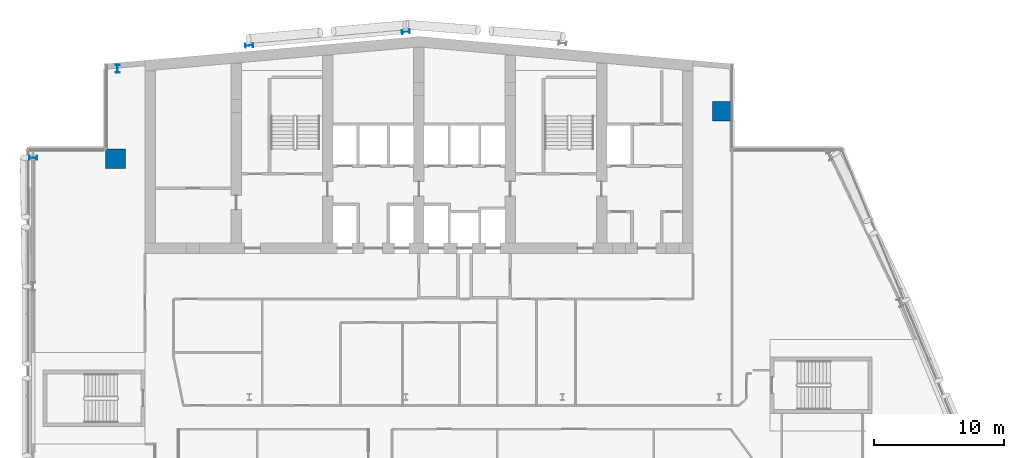
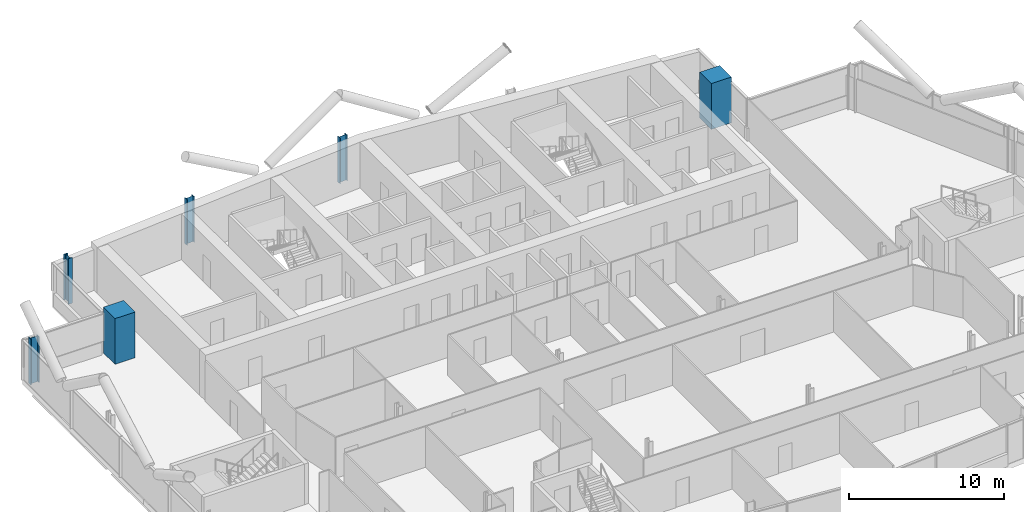
# One storey, part 3 of 27: 6 columns.
"""IFC4 building model written with IfcOpenShell, lengths in metres."""

from ifc_helpers import new_model, si_unit, direction, frame, origin, origin_2d, place, context, subcontext, project, spatial, rectangle, i_section, extrude, material, material_profile, profile_set, type_object, element, save


model = new_model("IFC4")

# Units and contexts
model_context = context("Model", 3, precision=1e-05, world=origin(), true_north=direction((0.0, 1.0)))
body_context = subcontext(model_context, "Body", "Model", "MODEL_VIEW")
ifc_project = project(units=[si_unit("LENGTHUNIT", "METRE"), si_unit("AREAUNIT", "SQUARE_METRE"), si_unit("VOLUMEUNIT", "CUBIC_METRE"), si_unit("PLANEANGLEUNIT", "RADIAN"), si_unit("MASSUNIT", "GRAM", prefix="KILO")], contexts=[model_context])

# Site, building, storey
site_placement = place(None, origin())
site = spatial("IfcSite", under=ifc_project, at=site_placement, CompositionType="ELEMENT")
building_placement = place(site_placement, origin())
building = spatial("IfcBuilding", under=site, at=building_placement, Name="Wharfspan Tower", CompositionType="ELEMENT")
storey_placement = place(building_placement, frame((0.0, 0.0, 195.100098)))
storey = spatial("IfcBuildingStorey", under=building, at=storey_placement, Name="L48", CompositionType="ELEMENT", Elevation=195.100098)

# Columns
ifc_material_1 = material(Name="Steel S355J2", Category="steel")
ifc_material_profile_1 = material_profile(ifc_material_1, i_section(OverallWidth=0.300049, OverallDepth=0.600098, WebThickness=0.015381, FlangeThickness=0.030029, FilletRadius=0.0271, at=origin_2d()))
ifc_profile_set_1 = profile_set([ifc_material_profile_1], Name="Steel S355J2")
column_type_1 = type_object("IfcColumnType", Name="Column HEB 600", PredefinedType="COLUMN", material=ifc_profile_set_1)
for number, where, z_axis, x_axis, name in (
    (1, (24.0, 49.937256, 0.0), (0.0, 0.0, 1.0), (-0.087156, 0.996198, 0.0), "Rear column R.1 L48"),
    (2, (36.0, 50.987061, 0.0), (0.0, 0.0, 1.0), (-0.087156, 0.996198, 0.0), "Rear column R.2 L48"),
):
    element("IfcColumn", number, at=place(storey_placement, frame(where, z_axis=z_axis, x_axis=x_axis)), inside=storey, type_object=column_type_1, Name=name, PredefinedType="COLUMN", context=body_context, shape_type="SweptSolid", body=[
        extrude(i_section(OverallWidth=0.300049, OverallDepth=0.600098, WebThickness=0.015381, FlangeThickness=0.030029, FilletRadius=0.0271, at=origin_2d()), origin(), (0.0, 0.0, 1.0), 3.599854),
    ])
ifc_material_profile_2 = material_profile(ifc_material_1, i_section(OverallWidth=0.304932, OverallDepth=0.620117, WebThickness=0.020996, FlangeThickness=0.040039, FilletRadius=0.0271, at=origin_2d()))
ifc_profile_set_2 = profile_set([ifc_material_profile_2], Name="Steel S355J2")
column_type_2 = type_object("IfcColumnType", Name="Column HEM 600", PredefinedType="COLUMN", material=ifc_profile_set_2)
for number, where, z_axis, x_axis, name in (
    (3, (13.911133, 48.141113, 0.0), (0.0, 0.0, 1.0), (-1.0, 0.0, 0.0), "Perimeter column PNRW-V.1 L48"),
    (4, (7.450439, 41.333008, 0.0), (0.0, 0.0, 1.0), (0.0, 1.0, 0.0), "Perimeter column PNRW-H.1 L48"),
):
    element("IfcColumn", number, at=place(storey_placement, frame(where, z_axis=z_axis, x_axis=x_axis)), inside=storey, type_object=column_type_2, Name=name, PredefinedType="COLUMN", context=body_context, shape_type="SweptSolid", body=[
        extrude(i_section(OverallWidth=0.304932, OverallDepth=0.620117, WebThickness=0.020996, FlangeThickness=0.040039, FilletRadius=0.0271, at=origin_2d()), origin(), (0.0, 0.0, 1.0), 3.599854),
    ])
ifc_material_2 = material(Name="Concrete C60/75", Category="concrete")
ifc_material_profile_3 = material_profile(ifc_material_2, rectangle(XDim=1.5, YDim=1.5, at=origin_2d()))
ifc_profile_set_3 = profile_set([ifc_material_profile_3], Name="Concrete C60/75")
column_type_3 = type_object("IfcColumnType", Name="Mega column 1500 C60/75", PredefinedType="COLUMN", material=ifc_profile_set_3)
for number, where, z_axis, x_axis, name in (
    (5, (13.75, 41.25, 0.0), (0.0, 0.0, 1.0), (1.0, 0.0, 0.0), "Mega column MC2 L48"),
    (6, (60.25, 44.899902, 0.0), (0.0, 0.0, 1.0), (1.0, 0.0, 0.0), "Mega column MC3 L48"),
):
    element("IfcColumn", number, at=place(storey_placement, frame(where, z_axis=z_axis, x_axis=x_axis)), inside=storey, type_object=column_type_3, Name=name, PredefinedType="COLUMN", context=body_context, shape_type="SweptSolid", body=[
        extrude(rectangle(XDim=1.5, YDim=1.5, at=origin_2d()), origin(), (0.0, 0.0, 1.0), 3.599854),
    ])

save(model, "model.ifc")
